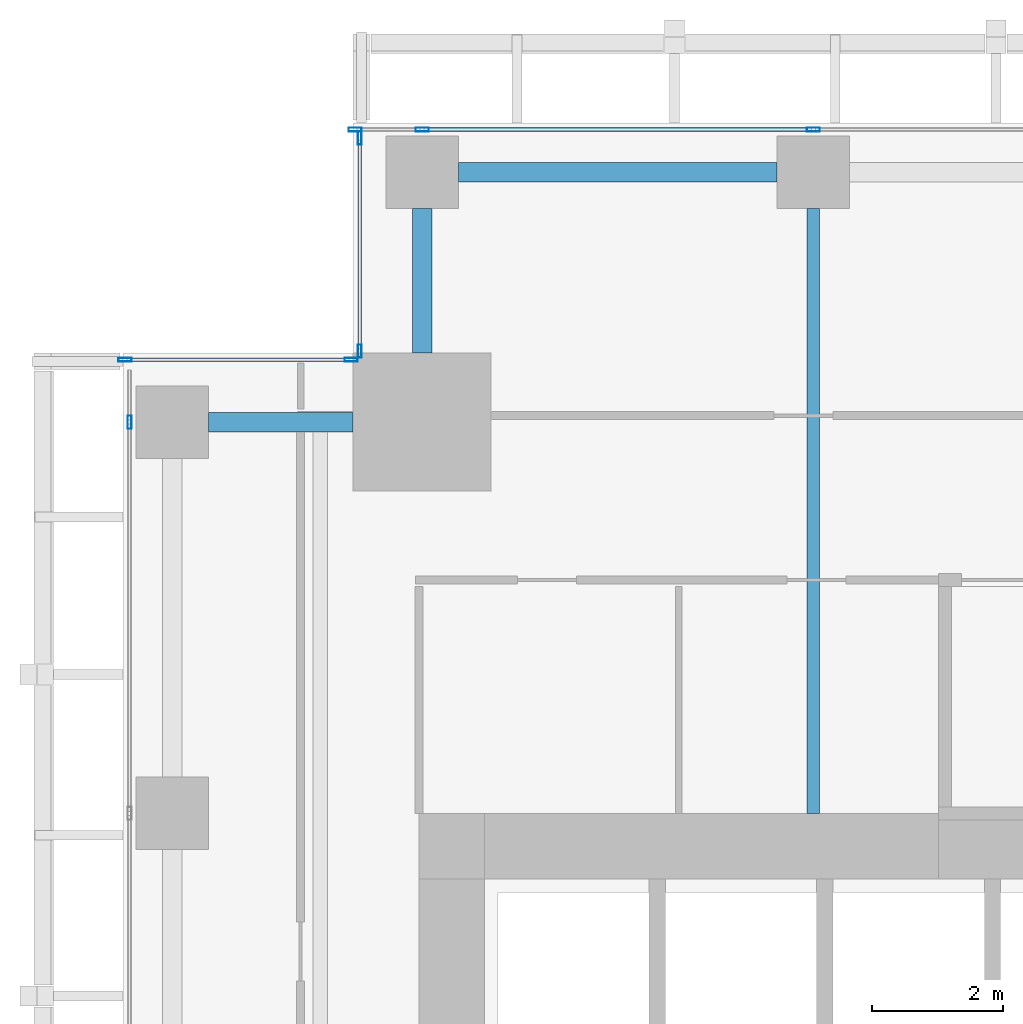
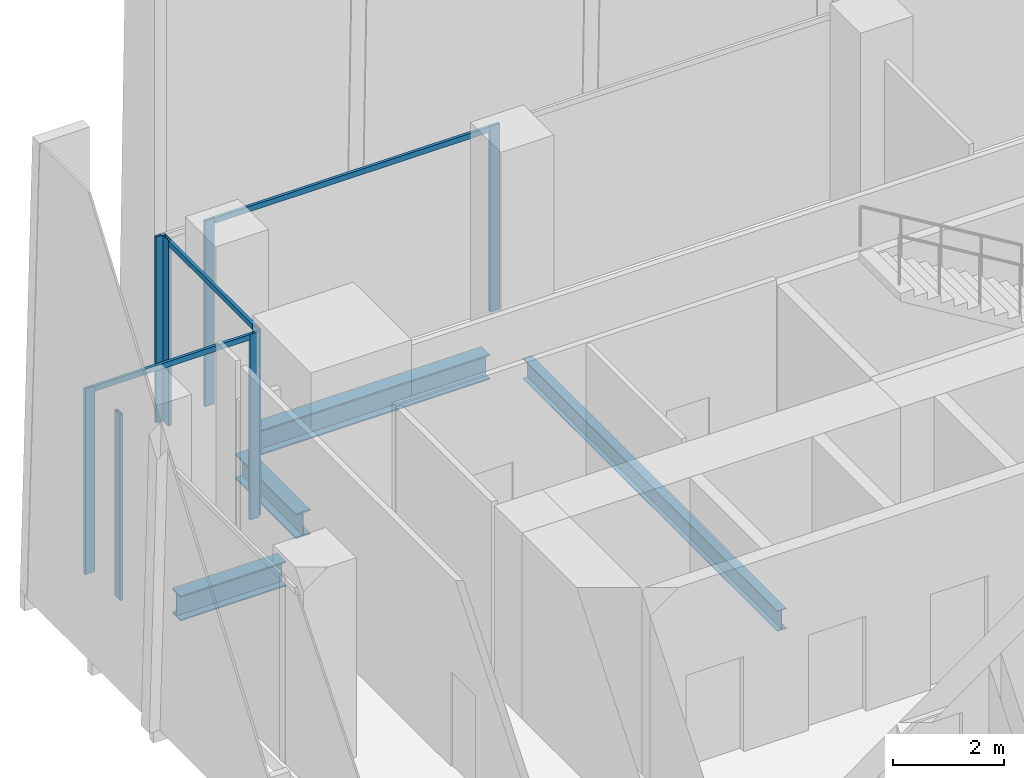
# One storey, part 16 of 34: 11 members, 4 beams, 4 elements without a shape of their own.
"""IFC4 building model written with IfcOpenShell, lengths in metres."""

from ifc_helpers import new_model, si_unit, direction, frame, origin, origin_2d, place, context, subcontext, project, spatial, hollow_rectangle, i_section, extrude, source, transform, mapped, material, material_profile, profile_set, type_object, element, aggregate, save


model = new_model("IFC4")

# Units and contexts
model_context = context("Model", 3, precision=1e-05, world=origin(), true_north=direction((0.0, 1.0)))
body_context = subcontext(model_context, "Body", "Model", "MODEL_VIEW")
ifc_project = project(units=[si_unit("LENGTHUNIT", "METRE"), si_unit("AREAUNIT", "SQUARE_METRE"), si_unit("VOLUMEUNIT", "CUBIC_METRE"), si_unit("PLANEANGLEUNIT", "RADIAN"), si_unit("MASSUNIT", "GRAM", prefix="KILO")], contexts=[model_context])

# Site, building, storey
site_placement = place(None, origin())
site = spatial("IfcSite", under=ifc_project, at=site_placement, CompositionType="ELEMENT")
building_placement = place(site_placement, origin())
building = spatial("IfcBuilding", under=site, at=building_placement, Name="Khomas Fold Tower", CompositionType="ELEMENT")
storey_placement = place(building_placement, frame((0.0, 0.0, 154.300048828125)))
storey = spatial("IfcBuildingStorey", under=building, at=storey_placement, Name="L33", CompositionType="ELEMENT", Elevation=154.300048828125)

# Beams
ifc_material_1 = material(Name="Steel S355", Category="steel")
ifc_material_profile_1 = material_profile(ifc_material_1, i_section(OverallWidth=0.300048828125, OverallDepth=0.550048828125, WebThickness=0.014892578125, FlangeThickness=0.029052734375, at=origin_2d()), Name="HE 550 B")
ifc_profile_set_1 = profile_set([ifc_material_profile_1], Name="Steel S355")
beam_type_1 = type_object("IfcBeamType", Name="HE 550 B spandrel SB2", PredefinedType="SPANDREL", material=ifc_profile_set_1)
shared_shape_1 = source(origin(), body_context, "Body", "SweptSolid", [
    extrude(i_section(OverallWidth=0.300048828125, OverallDepth=0.550048828125, WebThickness=0.014892578125, FlangeThickness=0.029052734375, at=origin_2d()), origin(), (0.0, 0.0, 1.0), 4.849853515625),
])
beam_1_placement = place(storey_placement, frame((6.60009765625, 51.75, -0.574951171875), z_axis=(1.0, 0.0, 0.0), x_axis=(0.0, 1.0, 0.0)))
element("IfcBeam", 1, at=beam_1_placement, inside=storey, type_object=beam_type_1, Name="SB2", PredefinedType="SPANDREL", context=body_context, shape_type="MappedRepresentation", body=[
    mapped(shared_shape_1, transform((0.0, 0.0, 0.0))),
])
shared_shape_2 = source(origin(), body_context, "Body", "SweptSolid", [
    extrude(i_section(OverallWidth=0.300048828125, OverallDepth=0.550048828125, WebThickness=0.014892578125, FlangeThickness=0.029052734375, at=origin_2d()), origin(), (0.0, 0.0, 1.0), 2.199951171875),
])
for number, where, z_axis, x_axis, name in (
    (2, (6.050048828125, 49.0, -0.574951171875), (0.0, 1.0, 0.0), (-1.0, 0.0, 0.0), "SB2"),
    (3, (2.800048828125, 47.949951171875, -0.574951171875), (1.0, 0.0, 0.0), (0.0, 1.0, 0.0), "SB2"),
):
    element("IfcBeam", number, at=place(storey_placement, frame(where, z_axis=z_axis, x_axis=x_axis)), inside=storey, type_object=beam_type_1, Name=name, PredefinedType="SPANDREL", context=body_context, shape_type="MappedRepresentation", body=[
        mapped(shared_shape_2, transform((0.0, 0.0, 0.0))),
    ])
ifc_material_2 = material(Name="Steel S355", Category="steel")
ifc_material_profile_2 = material_profile(ifc_material_2, i_section(OverallWidth=0.18994140625, OverallDepth=0.449951171875, WebThickness=0.009521484375, FlangeThickness=0.0146484375, at=origin_2d()), Name="IPE 450")
ifc_profile_set_2 = profile_set([ifc_material_profile_2], Name="Steel S355")
beam_type_2 = type_object("IfcBeamType", Name="IPE 450 beam JB4", PredefinedType="BEAM", material=ifc_profile_set_2)
shared_shape_3 = source(origin(), body_context, "Body", "SweptSolid", [
    extrude(i_section(OverallWidth=0.18994140625, OverallDepth=0.449951171875, WebThickness=0.009521484375, FlangeThickness=0.0146484375, at=origin_2d()), origin(), (0.0, 0.0, 1.0), 9.199951171875),
])
beam_2_placement = place(storey_placement, frame((12.0, 42.0, -0.525146484375), z_axis=(0.0, 1.0, 0.0), x_axis=(-1.0, 0.0, 0.0)))
element("IfcBeam", 4, at=beam_2_placement, inside=storey, type_object=beam_type_2, Name="JB4", PredefinedType="BEAM", context=body_context, shape_type="MappedRepresentation", body=[
    mapped(shared_shape_3, transform((0.0, 0.0, 0.0))),
])

# Curtain wall, member
ifc_material_3 = material(Name="Aluminium framed double glazing", Category="aluminium")
curtain_wall_type = type_object("IfcCurtainWallType", Name="SK-Unitised clear-glass wall, growing floors CW1", PredefinedType="NOTDEFINED", material=ifc_material_3)
curtain_wall_1_placement = place(storey_placement, origin())
curtain_wall_1 = element("IfcCurtainWall", 5, at=curtain_wall_1_placement, inside=storey, type_object=curtain_wall_type, Name="CW1 run L33 06-1", PredefinedType="NOTDEFINED")
ifc_material_4 = material(Name="Aluminium", Category="aluminium")
ifc_material_profile_3 = material_profile(ifc_material_4, hollow_rectangle(XDim=0.06005859375, YDim=0.1201171875, WallThickness=0.00390625, at=origin_2d()), Name="SK-Unitised clear-glass wall, growing floors transom CW1-T")
ifc_profile_set_3 = profile_set([ifc_material_profile_3], Name="Aluminium")
member_type_1 = type_object("IfcMemberType", Name="SK-Unitised clear-glass wall, growing floors transom CW1-T", PredefinedType="USERDEFINED", material=ifc_profile_set_3)
shared_shape_4 = source(origin(), body_context, "Body", "SweptSolid", [
    extrude(hollow_rectangle(XDim=0.06005859375, YDim=0.1201171875, WallThickness=0.00390625, at=origin_2d()), origin(), (0.0, 0.0, 1.0), 5.889892578125),
])
member_1_placement = place(storey_placement, frame((11.969970703125, 52.39990234375, 4.0400390625), z_axis=(-1.0, 0.0, 0.0), x_axis=(0.0, -1.0, 0.0)))
member_1 = element("IfcMember", 6, at=member_1_placement, type_object=member_type_1, Name="CW1 transom 4", ObjectType="TRANSOM", PredefinedType="USERDEFINED", context=body_context, shape_type="MappedRepresentation", body=[
    mapped(shared_shape_4, transform((0.0, 0.0, 0.0))),
])

curtain_wall_2_placement = place(storey_placement, origin())
curtain_wall_2 = element("IfcCurtainWall", 7, at=curtain_wall_2_placement, inside=storey, type_object=curtain_wall_type, Name="CW1 corner return L33 07", PredefinedType="NOTDEFINED")
shared_shape_5 = source(origin(), body_context, "Body", "SweptSolid", [
    extrude(hollow_rectangle(XDim=0.06005859375, YDim=0.1201171875, WallThickness=0.00390625, at=origin_2d()), origin(), (0.0, 0.0, 1.0), 3.179931640625),
])
member_2_placement = place(storey_placement, frame((5.10009765625, 52.239990234375, 4.0400390625), z_axis=(0.0, -1.0, 0.0), x_axis=(1.0, 0.0, 0.0)))
member_2 = element("IfcMember", 8, at=member_2_placement, type_object=member_type_1, Name="CW1 transom 1", ObjectType="TRANSOM", PredefinedType="USERDEFINED", context=body_context, shape_type="MappedRepresentation", body=[
    mapped(shared_shape_5, transform((0.0, 0.0, 0.0))),
])

curtain_wall_3_placement = place(storey_placement, origin())
curtain_wall_3 = element("IfcCurtainWall", 9, at=curtain_wall_3_placement, inside=storey, type_object=curtain_wall_type, Name="CW1 corner return L33 08", PredefinedType="NOTDEFINED")
shared_shape_6 = source(origin(), body_context, "Body", "SweptSolid", [
    extrude(hollow_rectangle(XDim=0.06005859375, YDim=0.1201171875, WallThickness=0.00390625, at=origin_2d()), origin(), (0.0, 0.0, 1.0), 3.3798828125),
])
member_3_placement = place(storey_placement, frame((4.93994140625, 48.89990234375, 4.0400390625), z_axis=(-1.0, 0.0, 0.0), x_axis=(0.0, -1.0, 0.0)))
member_3 = element("IfcMember", 10, at=member_3_placement, type_object=member_type_1, Name="CW1 transom 1", ObjectType="TRANSOM", PredefinedType="USERDEFINED", context=body_context, shape_type="MappedRepresentation", body=[
    mapped(shared_shape_6, transform((0.0, 0.0, 0.0))),
])

# Member
ifc_material_5 = material(Name="Aluminium", Category="aluminium")
ifc_material_profile_4 = material_profile(ifc_material_5, hollow_rectangle(XDim=0.06005859375, YDim=0.199951171875, WallThickness=0.00390625, at=origin_2d()), Name="SK-Unitised clear-glass wall, growing floors mullion CW1-M")
ifc_profile_set_4 = profile_set([ifc_material_profile_4], Name="Aluminium")
member_type_2 = type_object("IfcMemberType", Name="SK-Unitised clear-glass wall, growing floors mullion CW1-M", PredefinedType="MULLION", material=ifc_profile_set_4)
shared_shape_7 = source(origin(), body_context, "Body", "SweptSolid", [
    extrude(hollow_rectangle(XDim=0.06005859375, YDim=0.199951171875, WallThickness=0.00390625, at=origin_2d()), origin(), (0.0, 0.0, 1.0), 4.099853515625),
])
member_4_placement = place(storey_placement, frame((12.0, 52.39990234375, 0.0), z_axis=(0.0, 0.0, 1.0), x_axis=(0.0, -1.0, 0.0)))
member_4 = element("IfcMember", 11, at=member_4_placement, type_object=member_type_2, Name="CW1 mullion 4", PredefinedType="MULLION", context=body_context, shape_type="MappedRepresentation", body=[
    mapped(shared_shape_7, transform((0.0, 0.0, 0.0))),
])

member_5_placement = place(storey_placement, frame((6.050048828125, 52.39990234375, 0.0), z_axis=(0.0, 0.0, 1.0), x_axis=(0.0, -1.0, 0.0)))
member_5 = element("IfcMember", 12, at=member_5_placement, type_object=member_type_2, Name="CW1 mullion 5", PredefinedType="MULLION", context=body_context, shape_type="MappedRepresentation", body=[
    mapped(shared_shape_7, transform((0.0, 0.0, 0.0))),
])

member_6_placement = place(storey_placement, frame((5.030029296875, 52.39990234375, 0.0), z_axis=(0.0, 0.0, 1.0), x_axis=(0.0, -1.0, 0.0)))
member_6 = element("IfcMember", 13, at=member_6_placement, type_object=member_type_2, Name="CW1 mullion 6", PredefinedType="MULLION", context=body_context, shape_type="MappedRepresentation", body=[
    mapped(shared_shape_7, transform((0.0, 0.0, 0.0))),
])

aggregate(curtain_wall_1, [member_4, member_5, member_6, member_1])

member_7_placement = place(storey_placement, frame((5.10009765625, 52.27001953125, 0.0), z_axis=(0.0, 0.0, 1.0), x_axis=(1.0, 0.0, 0.0)))
member_7 = element("IfcMember", 14, at=member_7_placement, type_object=member_type_2, Name="CW1 mullion 1", PredefinedType="MULLION", context=body_context, shape_type="MappedRepresentation", body=[
    mapped(shared_shape_7, transform((0.0, 0.0, 0.0))),
])

member_8_placement = place(storey_placement, frame((5.10009765625, 49.030029296875, 0.0), z_axis=(0.0, 0.0, 1.0), x_axis=(1.0, 0.0, 0.0)))
member_8 = element("IfcMember", 15, at=member_8_placement, type_object=member_type_2, Name="CW1 mullion 2", PredefinedType="MULLION", context=body_context, shape_type="MappedRepresentation", body=[
    mapped(shared_shape_7, transform((0.0, 0.0, 0.0))),
])

aggregate(curtain_wall_2, [member_7, member_8, member_2])

member_9_placement = place(storey_placement, frame((4.969970703125, 48.89990234375, 0.0), z_axis=(0.0, 0.0, 1.0), x_axis=(0.0, -1.0, 0.0)))
member_9 = element("IfcMember", 16, at=member_9_placement, type_object=member_type_2, Name="CW1 mullion 1", PredefinedType="MULLION", context=body_context, shape_type="MappedRepresentation", body=[
    mapped(shared_shape_7, transform((0.0, 0.0, 0.0))),
])

member_10_placement = place(storey_placement, frame((1.530029296875, 48.89990234375, 0.0), z_axis=(0.0, 0.0, 1.0), x_axis=(0.0, -1.0, 0.0)))
member_10 = element("IfcMember", 17, at=member_10_placement, type_object=member_type_2, Name="CW1 mullion 2", PredefinedType="MULLION", context=body_context, shape_type="MappedRepresentation", body=[
    mapped(shared_shape_7, transform((0.0, 0.0, 0.0))),
])

aggregate(curtain_wall_3, [member_9, member_10, member_3])

# Curtain wall, member
curtain_wall_4_placement = place(storey_placement, origin())
curtain_wall_4 = element("IfcCurtainWall", 18, at=curtain_wall_4_placement, inside=storey, type_object=curtain_wall_type, Name="CW1 run L33 09-0", PredefinedType="NOTDEFINED")
member_11_placement = place(storey_placement, frame((1.60009765625, 47.949951171875, 0.0), z_axis=(0.0, 0.0, 1.0), x_axis=(1.0, 0.0, 0.0)))
member_11 = element("IfcMember", 19, at=member_11_placement, type_object=member_type_2, Name="CW1 mullion 2", PredefinedType="MULLION", context=body_context, shape_type="MappedRepresentation", body=[
    mapped(shared_shape_7, transform((0.0, 0.0, 0.0))),
])
aggregate(curtain_wall_4, [member_11])

save(model, "model.ifc")
